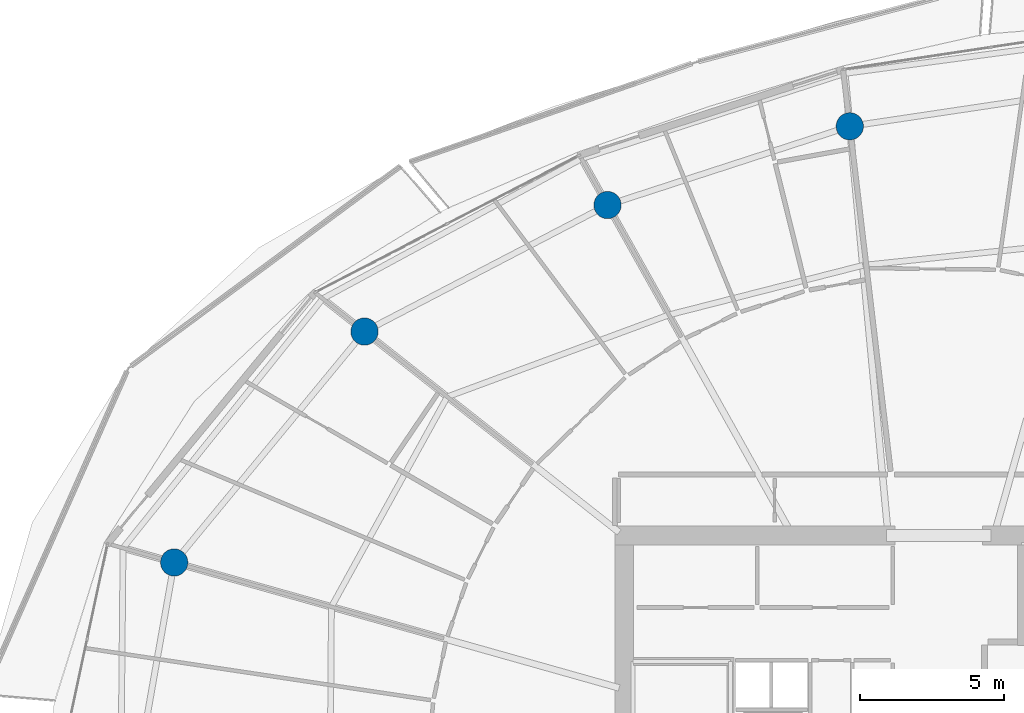
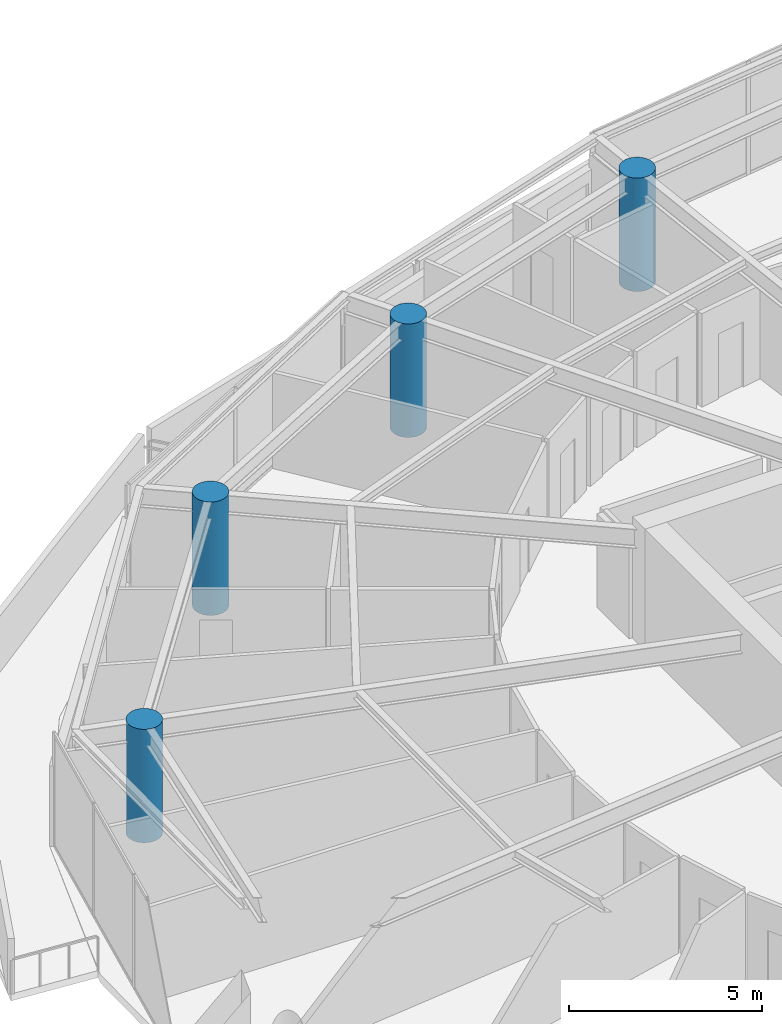
# One storey, part 4 of 30: 4 columns.
"""IFC4 building model written with IfcOpenShell, lengths in metres."""

from ifc_helpers import new_model, si_unit, direction, frame, origin, origin_2d, place, context, subcontext, project, spatial, circle, extrude, material, material_profile, profile_set, type_object, element, save


model = new_model("IFC4")

# Units and contexts
model_context = context("Model", 3, precision=1e-05, world=origin(), true_north=direction((0.0, 1.0)))
body_context = subcontext(model_context, "Body", "Model", "MODEL_VIEW")
ifc_project = project(units=[si_unit("LENGTHUNIT", "METRE"), si_unit("AREAUNIT", "SQUARE_METRE"), si_unit("VOLUMEUNIT", "CUBIC_METRE"), si_unit("PLANEANGLEUNIT", "RADIAN"), si_unit("MASSUNIT", "GRAM", prefix="KILO")], contexts=[model_context])

# Site, building, storey
site_placement = place(None, origin())
site = spatial("IfcSite", under=ifc_project, at=site_placement, CompositionType="ELEMENT")
building_placement = place(site_placement, origin())
building = spatial("IfcBuilding", under=site, at=building_placement, Name="Kazma Halo Residences", CompositionType="ELEMENT")
storey_placement = place(building_placement, frame((0.0, 0.0, 263.64990234375)))
storey = spatial("IfcBuildingStorey", under=building, at=storey_placement, Name="L66", CompositionType="ELEMENT", Elevation=263.64990234375)

# Columns
ifc_material = material(Name="Concrete C60/75", Category="concrete")
ifc_material_profile = material_profile(ifc_material, circle(Radius=0.47509765625, at=origin_2d()), Name="CIRC950")
ifc_profile_set = profile_set([ifc_material_profile], Name="Concrete C60/75")
column_type = type_object("IfcColumnType", Name="COL-PERIM-950", PredefinedType="COLUMN", material=ifc_profile_set)
for number, where, z_axis, x_axis, name in (
    (1, (45.32861328125, 64.57080078125, 0.0), (0.0, 0.0, 1.0), (1.0, 0.0, 0.0), "L66 perimeter ring column P04"),
    (2, (36.89453125, 61.830322265625, 0.0), (0.0, 0.0, 1.0), (1.0, 0.0, 0.0), "L66 perimeter ring column P05"),
    (3, (28.433837890625, 57.4248046875, 0.0), (0.0, 0.0, 1.0), (1.0, 0.0, 0.0), "L66 perimeter ring column P06"),
    (4, (21.80908203125, 49.38671875, 0.0), (0.0, 0.0, 1.0), (1.0, 0.0, 0.0), "L66 perimeter ring column P07"),
):
    element("IfcColumn", number, at=place(storey_placement, frame(where, z_axis=z_axis, x_axis=x_axis)), inside=storey, type_object=column_type, Name=name, PredefinedType="COLUMN", context=body_context, shape_type="SweptSolid", body=[
        extrude(circle(Radius=0.47509765625, at=origin_2d()), origin(), (0.0, 0.0, 1.0), 3.590087890625),
    ])

save(model, "model.ifc")
